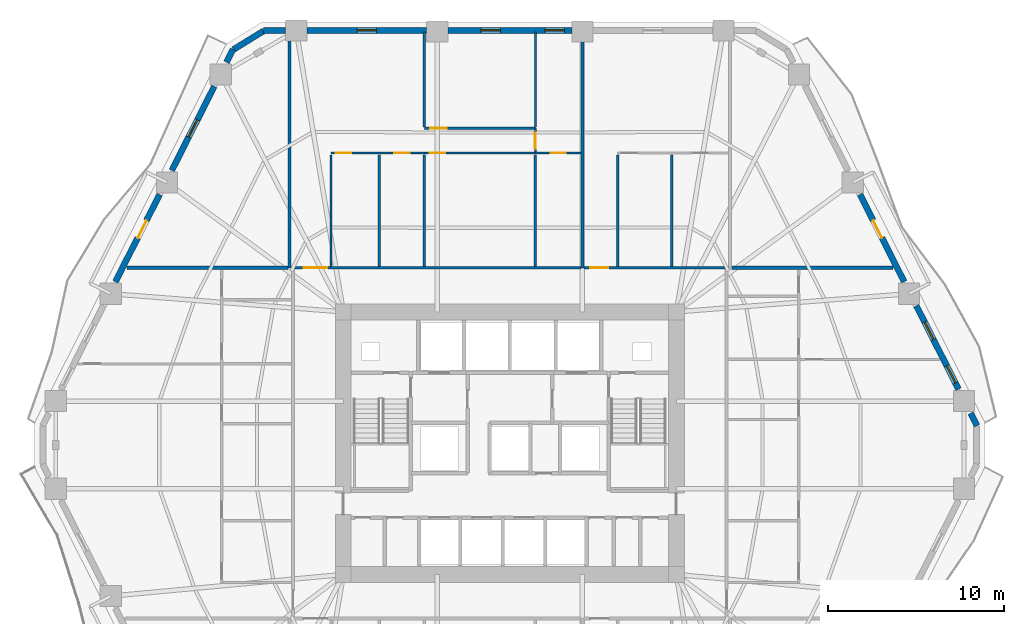
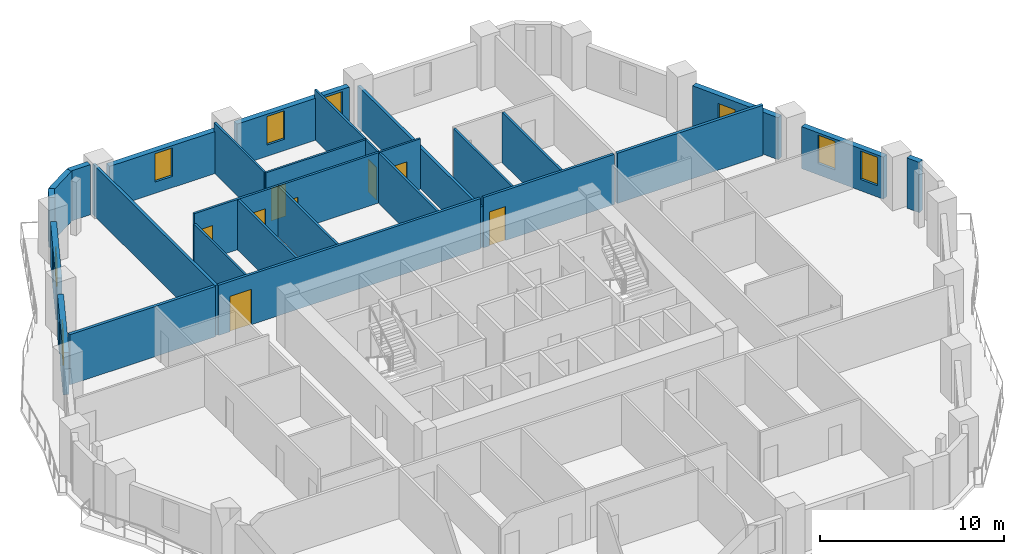
# One storey, part 7 of 11: 29 walls, 10 doors, 6 windows, 16 openings.
"""IFC4 building model written with IfcOpenShell, lengths in metres."""

from ifc_helpers import new_model, si_unit, direction, frame, frame_2d, origin, place, context, subcontext, project, spatial, rectangle, extrude, material, layer, layer_set, type_object, element, fill, save


model = new_model("IFC4")

# Units and contexts
model_context = context("Model", 3, precision=1e-05, world=origin(), true_north=direction((0.0, 1.0)))
body_context = subcontext(model_context, "Body", "Model", "MODEL_VIEW")
ifc_project = project(units=[si_unit("LENGTHUNIT", "METRE"), si_unit("AREAUNIT", "SQUARE_METRE"), si_unit("VOLUMEUNIT", "CUBIC_METRE"), si_unit("PLANEANGLEUNIT", "RADIAN"), si_unit("MASSUNIT", "GRAM", prefix="KILO")], contexts=[model_context])

# Site, building, storey
site_placement = place(None, origin())
site = spatial("IfcSite", under=ifc_project, at=site_placement, CompositionType="ELEMENT")
building_placement = place(site_placement, origin())
building = spatial("IfcBuilding", under=site, at=building_placement, Name="Cinnabar Lancet Tower", CompositionType="ELEMENT")
storey_placement = place(building_placement, frame((0.0, 0.0, 56.85009765625)))
storey = spatial("IfcBuildingStorey", under=building, at=storey_placement, Name="L14", CompositionType="ELEMENT", Elevation=56.85009765625)

# Wall, opening, door
ifc_material_1 = material(Name="Acoustic twin-stud gypsum partition", Category="gypsum")
ifc_layer_1 = layer(ifc_material_1, 0.159912109375)
ifc_layer_set_1 = layer_set([ifc_layer_1], Name="Acoustic twin-stud gypsum partition")
wall_type_1 = type_object("IfcWallType", Name="ARC-WL-CORR-160", PredefinedType="PARTITIONING", material=ifc_layer_set_1)
wall_1_placement = place(storey_placement, frame((19.9951171875, 35.85009765625, 0.0), z_axis=(0.0, 0.0, 1.0), x_axis=(1.0, 0.0, 0.0)))
wall_1 = element("IfcWall", 1, at=wall_1_placement, inside=storey, type_object=wall_type_1, Name="L14 Unit N01 Corridor Wall", PredefinedType="PARTITIONING", context=body_context, shape_type="SweptSolid", body=[
    extrude(rectangle(XDim=16.431884765625, YDim=0.159912109375, at=frame_2d((8.2158203125, 0.0))), origin(), (0.0, 0.0, 1.0), 3.329833984375),
])
opening_1_placement = place(wall_1_placement, frame((0.705078125, 0.0, 0.0)))
opening_1 = element("IfcOpeningElement", 2, at=opening_1_placement, cuts=wall_1, Name="Opening UD-02", PredefinedType="OPENING", context=body_context, shape_type="SweptSolid", body=[
    extrude(rectangle(XDim=1.35009765625, YDim=2.35009765625, at=frame_2d((0.675048828125, 1.175048828125))), frame((0.0, 0.08984375, 0.0), z_axis=(0.0, -1.0, 0.0), x_axis=(1.0, 0.0, 0.0)), (0.0, 0.0, 1.0), 0.179931640625),
])
ifc_material_2 = material(Name="Double-leaf solid timber penthouse entrance door", Category="wood")
door_type_1 = type_object("IfcDoorType", Name="ARC-DR-UNIT-PH", OperationType="NOTDEFINED", PredefinedType="DOOR", material=ifc_material_2)
door_1_placement = place(opening_1_placement, origin())
door_1 = element("IfcDoor", 3, at=door_1_placement, inside=storey, type_object=door_type_1, Name="DR-L14-N01-ENT", OperationType="SINGLE_SWING_RIGHT", OverallHeight=2.35009765625, OverallWidth=1.35009765625, PredefinedType="DOOR", context=body_context, shape_type="SweptSolid", body=[
    extrude(rectangle(XDim=1.35009765625, YDim=2.35009765625, at=frame_2d((0.675048828125, 1.175048828125))), frame((0.0, 0.02490234375, 0.0), z_axis=(0.0, -1.0, 0.0), x_axis=(1.0, 0.0, 0.0)), (0.0, 0.0, 1.0), 0.050048828125),
])
fill(opening_1, door_1)

wall_2_placement = place(storey_placement, frame((36.616943359375, 35.85009765625, 0.0), z_axis=(0.0, 0.0, 1.0), x_axis=(1.0, 0.0, 0.0)))
wall_2 = element("IfcWall", 4, at=wall_2_placement, inside=storey, type_object=wall_type_1, Name="L14 Unit N02 Corridor Wall", PredefinedType="PARTITIONING", context=body_context, shape_type="SweptSolid", body=[
    extrude(rectangle(XDim=8.18798828125, YDim=0.159912109375, at=frame_2d((4.093994140625, 0.0))), origin(), (0.0, 0.0, 1.0), 3.329833984375),
])
opening_2_placement = place(wall_2_placement, frame((0.35498046875, 0.0, 0.0)))
opening_2 = element("IfcOpeningElement", 5, at=opening_2_placement, cuts=wall_2, Name="Opening UD-01", PredefinedType="OPENING", context=body_context, shape_type="SweptSolid", body=[
    extrude(rectangle(XDim=1.02001953125, YDim=2.25, at=frame_2d((0.510009765625, 1.125))), frame((0.0, 0.08984375, 0.0), z_axis=(0.0, -1.0, 0.0), x_axis=(1.0, 0.0, 0.0)), (0.0, 0.0, 1.0), 0.179931640625),
])
ifc_material_3 = material(Name="Solid timber fire-rated apartment entrance door", Category="wood")
door_type_2 = type_object("IfcDoorType", Name="ARC-DR-UNIT", OperationType="NOTDEFINED", PredefinedType="DOOR", material=ifc_material_3)
door_2_placement = place(opening_2_placement, origin())
door_2 = element("IfcDoor", 6, at=door_2_placement, inside=storey, type_object=door_type_2, Name="DR-L14-N02-ENT", OperationType="SINGLE_SWING_LEFT", OverallHeight=2.25, OverallWidth=1.02001953125, PredefinedType="DOOR", context=body_context, shape_type="SweptSolid", body=[
    extrude(rectangle(XDim=1.02001953125, YDim=2.25, at=frame_2d((0.510009765625, 1.125))), frame((0.0, 0.02490234375, 0.0), z_axis=(0.0, -1.0, 0.0), x_axis=(1.0, 0.0, 0.0)), (0.0, 0.0, 1.0), 0.050048828125),
])
fill(opening_2, door_2)

# Walls
ifc_material_4 = material(Name="Fire-rated twin-frame acoustic drywall", Category="gypsum")
ifc_layer_2 = layer(ifc_material_4, 0.179931640625)
ifc_layer_set_2 = layer_set([ifc_layer_2], Name="Fire-rated twin-frame acoustic drywall")
wall_type_2 = type_object("IfcWallType", Name="ARC-WL-PARTY-180", PredefinedType="PARTITIONING", material=ifc_layer_set_2)
wall_3_placement = place(storey_placement, frame((19.89990234375, 35.85009765625, 0.0), z_axis=(0.0, 0.0, 1.0), x_axis=(0.0, 1.0, 0.0)))
element("IfcWall", 7, at=wall_3_placement, inside=storey, type_object=wall_type_2, Name="PW-L14-NPTY-199", PredefinedType="PARTITIONING", context=body_context, shape_type="SweptSolid", body=[
    extrude(rectangle(XDim=13.294921875, YDim=0.179931640625, at=frame_2d((6.6474609375, 0.0))), origin(), (0.0, 0.0, 1.0), 3.329833984375),
])
wall_4_placement = place(storey_placement, frame((36.52197265625, 35.85009765625, 0.0), z_axis=(0.0, 0.0, 1.0), x_axis=(0.0, 1.0, 0.0)))
element("IfcWall", 8, at=wall_4_placement, inside=storey, type_object=wall_type_2, Name="PW-L14-NPTY-365", PredefinedType="PARTITIONING", context=body_context, shape_type="SweptSolid", body=[
    extrude(rectangle(XDim=13.294921875, YDim=0.179931640625, at=frame_2d((6.6474609375, 0.0))), origin(), (0.0, 0.0, 1.0), 2.699951171875),
])
for number, where, z_axis, x_axis, name in (
    (9, (10.6650390625, 35.85009765625, 0.0), (0.0, 0.0, 1.0), (1.0, 0.0, 0.0), "PW-L14-WNB"),
    (10, (44.9951171875, 35.85009765625, 0.0), (0.0, 0.0, 1.0), (1.0, 0.0, 0.0), "PW-L14-ENB"),
):
    element("IfcWall", number, at=place(storey_placement, frame(where, z_axis=z_axis, x_axis=x_axis)), inside=storey, type_object=wall_type_2, Name=name, PredefinedType="PARTITIONING", context=body_context, shape_type="SweptSolid", body=[
        extrude(rectangle(XDim=9.139892578125, YDim=0.179931640625, at=frame_2d((4.56982421875, 0.0))), origin(), (0.0, 0.0, 1.0), 3.329833984375),
    ])
ifc_material_5 = material(Name="Gypsum plasterboard stud partition", Category="gypsum")
ifc_layer_3 = layer(ifc_material_5, 0.125)
ifc_layer_set_3 = layer_set([ifc_layer_3], Name="Gypsum plasterboard stud partition")
wall_type_3 = type_object("IfcWallType", Name="ARC-WL-UNIT-125", PredefinedType="PARTITIONING", material=ifc_layer_set_3)
wall_5_placement = place(storey_placement, frame((22.25, 35.93505859375, 0.0), z_axis=(0.0, 0.0, 1.0), x_axis=(0.0, 1.0, 0.0)))
element("IfcWall", 11, at=wall_5_placement, inside=storey, type_object=wall_type_3, Name="UW-L14-N01-FOYE", PredefinedType="PARTITIONING", context=body_context, shape_type="SweptSolid", body=[
    extrude(rectangle(XDim=6.324951171875, YDim=0.125, at=frame_2d((3.16259765625, 0.0))), origin(), (0.0, 0.0, 1.0), 2.699951171875),
])

# Wall, opening, door
wall_6_placement = place(storey_placement, frame((33.85009765625, 42.364990234375, 0.0), z_axis=(0.0, 0.0, 1.0), x_axis=(1.0, 0.0, 0.0)))
wall_6 = element("IfcWall", 12, at=wall_6_placement, inside=storey, type_object=wall_type_3, Name="UW-L14-N01-SP2", PredefinedType="PARTITIONING", context=body_context, shape_type="SweptSolid", body=[
    extrude(rectangle(XDim=2.576904296875, YDim=0.125, at=frame_2d((1.28857421875, 0.0))), origin(), (0.0, 0.0, 1.0), 3.329833984375),
])
opening_3_placement = place(wall_6_placement, frame((0.863037109375, 0.0, 0.0)))
opening_3 = element("IfcOpeningElement", 13, at=opening_3_placement, cuts=wall_6, Name="Opening BD-01", PredefinedType="OPENING", context=body_context, shape_type="SweptSolid", body=[
    extrude(rectangle(XDim=0.860107421875, YDim=2.10009765625, at=frame_2d((0.43017578125, 1.050048828125))), frame((0.0, 0.072509765625, 0.0), z_axis=(0.0, -1.0, 0.0), x_axis=(1.0, 0.0, 0.0)), (0.0, 0.0, 1.0), 0.14501953125),
])
ifc_material_6 = material(Name="Moisture-resistant timber bathroom door", Category="wood")
door_type_3 = type_object("IfcDoorType", Name="ARC-DR-BATH", OperationType="NOTDEFINED", PredefinedType="DOOR", material=ifc_material_6)
door_3_placement = place(opening_3_placement, origin())
door_3 = element("IfcDoor", 14, at=door_3_placement, inside=storey, type_object=door_type_3, Name="DR-L14-N01-ENS", OperationType="SINGLE_SWING_RIGHT", OverallHeight=2.10009765625, OverallWidth=0.860107421875, PredefinedType="DOOR", context=body_context, shape_type="SweptSolid", body=[
    extrude(rectangle(XDim=0.860107421875, YDim=2.10009765625, at=frame_2d((0.43017578125, 1.050048828125))), frame((0.0, 0.02490234375, 0.0), z_axis=(0.0, -1.0, 0.0), x_axis=(1.0, 0.0, 0.0)), (0.0, 0.0, 1.0), 0.050048828125),
])
fill(opening_3, door_3)

# Wall
wall_7_placement = place(storey_placement, frame((27.5458984375, 43.830078125, 0.0), z_axis=(0.0, 0.0, 1.0), x_axis=(0.0, 1.0, 0.0)))
element("IfcWall", 15, at=wall_7_placement, inside=storey, type_object=wall_type_3, Name="UW-L14-N01-BD2W", PredefinedType="PARTITIONING", context=body_context, shape_type="SweptSolid", body=[
    extrude(rectangle(XDim=5.405029296875, YDim=0.125, at=frame_2d((2.70263671875, 0.0))), origin(), (0.0, 0.0, 1.0), 3.329833984375),
])

# Wall, opening, door
wall_8_placement = place(storey_placement, frame((27.5458984375, 43.764892578125, 0.0), z_axis=(0.0, 0.0, 1.0), x_axis=(1.0, 0.0, 0.0)))
wall_8 = element("IfcWall", 16, at=wall_8_placement, inside=storey, type_object=wall_type_3, Name="UW-L14-N01-HLN", PredefinedType="PARTITIONING", context=body_context, shape_type="SweptSolid", body=[
    extrude(rectangle(XDim=6.30419921875, YDim=0.125, at=frame_2d((3.152099609375, 0.0))), origin(), (0.0, 0.0, 1.0), 3.329833984375),
])
opening_4_placement = place(wall_8_placement, frame((0.35009765625, 0.0, 0.0)))
opening_4 = element("IfcOpeningElement", 17, at=opening_4_placement, cuts=wall_8, Name="Opening RD-01", PredefinedType="OPENING", context=body_context, shape_type="SweptSolid", body=[
    extrude(rectangle(XDim=0.919921875, YDim=2.14990234375, at=frame_2d((0.4599609375, 1.074951171875))), frame((0.0, 0.072509765625, 0.0), z_axis=(0.0, -1.0, 0.0), x_axis=(1.0, 0.0, 0.0)), (0.0, 0.0, 1.0), 0.14501953125),
])
ifc_material_7 = material(Name="Engineered timber bedroom door", Category="wood")
door_type_4 = type_object("IfcDoorType", Name="ARC-DR-ROOM", OperationType="NOTDEFINED", PredefinedType="DOOR", material=ifc_material_7)
door_4_placement = place(opening_4_placement, origin())
door_4 = element("IfcDoor", 18, at=door_4_placement, inside=storey, type_object=door_type_4, Name="DR-L14-N01-BD2", OperationType="SINGLE_SWING_LEFT", OverallHeight=2.14990234375, OverallWidth=0.919921875, PredefinedType="DOOR", context=body_context, shape_type="SweptSolid", body=[
    extrude(rectangle(XDim=0.919921875, YDim=2.14990234375, at=frame_2d((0.4599609375, 1.074951171875))), frame((0.0, 0.02490234375, 0.0), z_axis=(0.0, -1.0, 0.0), x_axis=(1.0, 0.0, 0.0)), (0.0, 0.0, 1.0), 0.050048828125),
])
fill(opening_4, door_4)

wall_9_placement = place(storey_placement, frame((33.85009765625, 42.43505859375, 0.0), z_axis=(0.0, 0.0, 1.0), x_axis=(0.0, 1.0, 0.0)))
wall_9 = element("IfcWall", 19, at=wall_9_placement, inside=storey, type_object=wall_type_3, Name="UW-L14-N01-MBE", PredefinedType="PARTITIONING", context=body_context, shape_type="SweptSolid", body=[
    extrude(rectangle(XDim=1.329833984375, YDim=0.125, at=frame_2d((0.6650390625, 0.0))), origin(), (0.0, 0.0, 1.0), 3.329833984375),
])
opening_5_placement = place(wall_9_placement, frame((0.159912109375, 0.0, 0.0)))
opening_5 = element("IfcOpeningElement", 20, at=opening_5_placement, cuts=wall_9, Name="Opening RD-01", PredefinedType="OPENING", context=body_context, shape_type="SweptSolid", body=[
    extrude(rectangle(XDim=0.919921875, YDim=2.14990234375, at=frame_2d((0.4599609375, 1.074951171875))), frame((0.0, 0.072509765625, 0.0), z_axis=(0.0, -1.0, 0.0), x_axis=(1.0, 0.0, 0.0)), (0.0, 0.0, 1.0), 0.14501953125),
])
door_5_placement = place(opening_5_placement, origin())
door_5 = element("IfcDoor", 21, at=door_5_placement, inside=storey, type_object=door_type_4, Name="DR-L14-N01-MBD", OperationType="SINGLE_SWING_LEFT", OverallHeight=2.14990234375, OverallWidth=0.919921875, PredefinedType="DOOR", context=body_context, shape_type="SweptSolid", body=[
    extrude(rectangle(XDim=0.919921875, YDim=2.14990234375, at=frame_2d((0.4599609375, 1.074951171875))), frame((0.0, 0.02490234375, 0.0), z_axis=(0.0, -1.0, 0.0), x_axis=(1.0, 0.0, 0.0)), (0.0, 0.0, 1.0), 0.050048828125),
])
fill(opening_5, door_5)

# Walls
wall_10_placement = place(storey_placement, frame((33.85009765625, 43.830078125, 0.0), z_axis=(0.0, 0.0, 1.0), x_axis=(0.0, 1.0, 0.0)))
element("IfcWall", 22, at=wall_10_placement, inside=storey, type_object=wall_type_3, Name="UW-L14-N01-MB2W", PredefinedType="PARTITIONING", context=body_context, shape_type="SweptSolid", body=[
    extrude(rectangle(XDim=5.405029296875, YDim=0.125, at=frame_2d((2.70263671875, 0.0))), origin(), (0.0, 0.0, 1.0), 3.329833984375),
])
wall_11_placement = place(storey_placement, frame((38.52197265625, 35.93505859375, 0.0), z_axis=(0.0, 0.0, 1.0), x_axis=(0.0, 1.0, 0.0)))
element("IfcWall", 23, at=wall_11_placement, inside=storey, type_object=wall_type_3, Name="UW-L14-N02-FOYE", PredefinedType="PARTITIONING", context=body_context, shape_type="SweptSolid", body=[
    extrude(rectangle(XDim=6.324951171875, YDim=0.125, at=frame_2d((3.16259765625, 0.0))), origin(), (0.0, 0.0, 1.0), 3.329833984375),
])

# Wall, openings, doors
ifc_material_8 = material(Name="Moisture-resistant cement-board plumbing wall", Category="masonry")
ifc_layer_4 = layer(ifc_material_8, 0.139892578125)
ifc_layer_set_4 = layer_set([ifc_layer_4], Name="Moisture-resistant cement-board plumbing wall")
wall_type_4 = type_object("IfcWallType", Name="ARC-WL-WET-140", PredefinedType="PLUMBINGWALL", material=ifc_layer_set_4)
wall_12_placement = place(storey_placement, frame((22.25, 42.364990234375, 0.0), z_axis=(0.0, 0.0, 1.0), x_axis=(1.0, 0.0, 0.0)))
wall_12 = element("IfcWall", 24, at=wall_12_placement, inside=storey, type_object=wall_type_4, Name="UW-L14-N01-SPL", PredefinedType="PLUMBINGWALL", context=body_context, shape_type="SweptSolid", body=[
    extrude(rectangle(XDim=5.2958984375, YDim=0.139892578125, at=frame_2d((2.64794921875, 0.0))), origin(), (0.0, 0.0, 1.0), 3.329833984375),
])
opening_6_placement = place(wall_12_placement, frame((3.60009765625, 0.0, 0.0)))
opening_6 = element("IfcOpeningElement", 25, at=opening_6_placement, cuts=wall_12, Name="Opening BD-01", PredefinedType="OPENING", context=body_context, shape_type="SweptSolid", body=[
    extrude(rectangle(XDim=0.860107421875, YDim=2.10009765625, at=frame_2d((0.43017578125, 1.050048828125))), frame((0.0, 0.079833984375, 0.0), z_axis=(0.0, -1.0, 0.0), x_axis=(1.0, 0.0, 0.0)), (0.0, 0.0, 1.0), 0.159912109375),
])
opening_7_placement = place(wall_12_placement, frame((0.260009765625, 0.0, 0.0)))
opening_7 = element("IfcOpeningElement", 26, at=opening_7_placement, cuts=wall_12, Name="Opening RD-02", PredefinedType="OPENING", context=body_context, shape_type="SweptSolid", body=[
    extrude(rectangle(XDim=0.8798828125, YDim=2.14990234375, at=frame_2d((0.43994140625, 1.074951171875))), frame((0.0, 0.079833984375, 0.0), z_axis=(0.0, -1.0, 0.0), x_axis=(1.0, 0.0, 0.0)), (0.0, 0.0, 1.0), 0.159912109375),
])
door_6_placement = place(opening_6_placement, origin())
door_6 = element("IfcDoor", 27, at=door_6_placement, inside=storey, type_object=door_type_3, Name="DR-L14-N01-BTH", OperationType="SINGLE_SWING_RIGHT", OverallHeight=2.10009765625, OverallWidth=0.860107421875, PredefinedType="DOOR", context=body_context, shape_type="SweptSolid", body=[
    extrude(rectangle(XDim=0.860107421875, YDim=2.10009765625, at=frame_2d((0.43017578125, 1.050048828125))), frame((0.0, 0.02490234375, 0.0), z_axis=(0.0, -1.0, 0.0), x_axis=(1.0, 0.0, 0.0)), (0.0, 0.0, 1.0), 0.050048828125),
])
fill(opening_6, door_6)
ifc_material_9 = material(Name="Engineered timber study door", Category="wood")
door_type_5 = type_object("IfcDoorType", Name="ARC-DR-STUDY", OperationType="NOTDEFINED", PredefinedType="DOOR", material=ifc_material_9)
door_7_placement = place(opening_7_placement, origin())
door_7 = element("IfcDoor", 28, at=door_7_placement, inside=storey, type_object=door_type_5, Name="DR-L14-N01-KIT", OperationType="SINGLE_SWING_LEFT", OverallHeight=2.14990234375, OverallWidth=0.8798828125, PredefinedType="DOOR", context=body_context, shape_type="SweptSolid", body=[
    extrude(rectangle(XDim=0.8798828125, YDim=2.14990234375, at=frame_2d((0.43994140625, 1.074951171875))), frame((0.0, 0.02490234375, 0.0), z_axis=(0.0, -1.0, 0.0), x_axis=(1.0, 0.0, 0.0)), (0.0, 0.0, 1.0), 0.050048828125),
])
fill(opening_7, door_7)

# Wall, opening, door
wall_13_placement = place(storey_placement, frame((27.5458984375, 42.364990234375, 0.0), z_axis=(0.0, 0.0, 1.0), x_axis=(1.0, 0.0, 0.0)))
wall_13 = element("IfcWall", 29, at=wall_13_placement, inside=storey, type_object=wall_type_4, Name="UW-L14-N01-SPM", PredefinedType="PLUMBINGWALL", context=body_context, shape_type="SweptSolid", body=[
    extrude(rectangle(XDim=6.30419921875, YDim=0.139892578125, at=frame_2d((3.152099609375, 0.0))), origin(), (0.0, 0.0, 1.0), 3.329833984375),
])
opening_8_placement = place(wall_13_placement, frame((0.300048828125, 0.0, 0.0)))
opening_8 = element("IfcOpeningElement", 30, at=opening_8_placement, cuts=wall_13, Name="Opening RD-02", PredefinedType="OPENING", context=body_context, shape_type="SweptSolid", body=[
    extrude(rectangle(XDim=0.8798828125, YDim=2.14990234375, at=frame_2d((0.43994140625, 1.074951171875))), frame((0.0, 0.079833984375, 0.0), z_axis=(0.0, -1.0, 0.0), x_axis=(1.0, 0.0, 0.0)), (0.0, 0.0, 1.0), 0.159912109375),
])
door_8_placement = place(opening_8_placement, origin())
door_8 = element("IfcDoor", 31, at=door_8_placement, inside=storey, type_object=door_type_5, Name="DR-L14-N01-UTL", OperationType="SINGLE_SWING_RIGHT", OverallHeight=2.14990234375, OverallWidth=0.8798828125, PredefinedType="DOOR", context=body_context, shape_type="SweptSolid", body=[
    extrude(rectangle(XDim=0.8798828125, YDim=2.14990234375, at=frame_2d((0.43994140625, 1.074951171875))), frame((0.0, 0.02490234375, 0.0), z_axis=(0.0, -1.0, 0.0), x_axis=(1.0, 0.0, 0.0)), (0.0, 0.0, 1.0), 0.050048828125),
])
fill(opening_8, door_8)

# Walls
for number, where, z_axis, x_axis, name in (
    (32, (25.00390625, 35.93505859375, 0.0), (0.0, 0.0, 1.0), (0.0, 1.0, 0.0), "UW-L14-N01-KDV"),
    (33, (27.5458984375, 35.93505859375, 0.0), (0.0, 0.0, 1.0), (0.0, 1.0, 0.0), "UW-L14-N01-ENSW"),
    (34, (33.85009765625, 35.93505859375, 0.0), (0.0, 0.0, 1.0), (0.0, 1.0, 0.0), "UW-L14-N01-ENSE"),
    (35, (41.5830078125, 35.93505859375, 0.0), (0.0, 0.0, 1.0), (0.0, 1.0, 0.0), "UW-L14-N02-KDV"),
):
    element("IfcWall", number, at=place(storey_placement, frame(where, z_axis=z_axis, x_axis=x_axis)), inside=storey, type_object=wall_type_4, Name=name, PredefinedType="PLUMBINGWALL", context=body_context, shape_type="SweptSolid", body=[
        extrude(rectangle(XDim=6.324951171875, YDim=0.139892578125, at=frame_2d((3.16259765625, 0.0))), origin(), (0.0, 0.0, 1.0), 3.329833984375),
    ])
ifc_material_10 = material(Name="Cinnabar red clay brick", Category="masonry")
ifc_layer_5 = layer(ifc_material_10, 0.340087890625)
ifc_layer_set_5 = layer_set([ifc_layer_5], Name="Cinnabar red clay brick")
wall_type_5 = type_object("IfcWallType", Name="ENV-WL-BRK-RED-340", PredefinedType="STANDARD", material=ifc_layer_set_5)
wall_14_placement = place(storey_placement, frame((18.43896484375, 49.294921875, 0.0), z_axis=(0.0, 0.0, 1.0), x_axis=(-0.851870104345, -0.523753114857, 0.0)))
element("IfcWall", 36, at=wall_14_placement, inside=storey, type_object=wall_type_5, Name="L14 Chamfered Corner Brick Pier 5.1", PredefinedType="STANDARD", context=body_context, shape_type="SweptSolid", body=[
    extrude(rectangle(XDim=2.017822265625, YDim=0.340087890625, at=frame_2d((1.0087890625, 0.0))), origin(), (0.0, 0.0, 1.0), 3.329833984375),
])
wall_15_placement = place(storey_placement, frame((58.908935546875, 26.89306640625, 0.0), z_axis=(0.0, 0.0, 1.0), x_axis=(-0.452101093511, 0.891966704113, 0.0)))
element("IfcWall", 37, at=wall_15_placement, inside=storey, type_object=wall_type_5, Name="L14 Face 3 Masonry Bay Wall 1", PredefinedType="STANDARD", context=body_context, shape_type="SweptSolid", body=[
    extrude(rectangle(XDim=0.798095703125, YDim=0.340087890625, at=frame_2d((0.39892578125, 0.0))), origin(), (0.0, 0.0, 1.0), 3.329833984375),
])

# Wall, openings, windows
wall_16_placement = place(storey_placement, frame((57.860107421875, 28.967041015625, 0.0), z_axis=(0.0, 0.0, 1.0), x_axis=(-0.451590635984, 0.892225250422, 0.0)))
wall_16 = element("IfcWall", 38, at=wall_16_placement, inside=storey, type_object=wall_type_5, Name="L14 Face 3 Masonry Bay Wall 2", PredefinedType="STANDARD", context=body_context, shape_type="SweptSolid", body=[
    extrude(rectangle(XDim=5.303466796875, YDim=0.340087890625, at=frame_2d((2.65185546875, 0.0))), origin(), (0.0, 0.0, 1.0), 2.786865234375),
])
opening_9_placement = place(wall_16_placement, frame((0.384033203125, 0.0, 0.75)))
opening_9 = element("IfcOpeningElement", 39, at=opening_9_placement, cuts=wall_16, Name="Opening WN-04", PredefinedType="OPENING", context=body_context, shape_type="SweptSolid", body=[
    extrude(rectangle(XDim=1.10009765625, YDim=1.886962890625, at=frame_2d((0.550048828125, 0.943359375))), frame((0.0, 0.179931640625, 0.0), z_axis=(0.0, -1.0, 0.0), x_axis=(1.0, 0.0, 0.0)), (0.0, 0.0, 1.0), 0.360107421875),
])
opening_10_placement = place(wall_16_placement, frame((3.156005859375, 0.0, 0.75)))
opening_10 = element("IfcOpeningElement", 40, at=opening_10_placement, cuts=wall_16, Name="Opening WN-04", PredefinedType="OPENING", context=body_context, shape_type="SweptSolid", body=[
    extrude(rectangle(XDim=1.10009765625, YDim=1.886962890625, at=frame_2d((0.550048828125, 0.943359375))), frame((0.0, 0.179931640625, 0.0), z_axis=(0.0, -1.0, 0.0), x_axis=(1.0, 0.0, 0.0)), (0.0, 0.0, 1.0), 0.360107421875),
])
ifc_material_11 = material(Name="Thermally broken bronze-anodized aluminium tall lancet window", Category="aluminium")
window_type = type_object("IfcWindowType", Name="ENV-WN-LANCET-1100", PartitioningType="SINGLE_PANEL", PredefinedType="WINDOW", material=ifc_material_11)
window_1_placement = place(opening_9_placement, origin())
window_1 = element("IfcWindow", 41, at=window_1_placement, inside=storey, type_object=window_type, Name="L14 Face 3 Gothic Lancet Window 2", OverallHeight=1.886962890625, OverallWidth=1.10009765625, PartitioningType="SINGLE_PANEL", PredefinedType="WINDOW", context=body_context, shape_type="SweptSolid", body=[
    extrude(rectangle(XDim=1.10009765625, YDim=1.886962890625, at=frame_2d((0.550048828125, 0.943359375))), frame((0.0, 0.030029296875, 0.0), z_axis=(0.0, -1.0, 0.0), x_axis=(1.0, 0.0, 0.0)), (0.0, 0.0, 1.0), 0.06005859375),
])
fill(opening_9, window_1)
window_2_placement = place(opening_10_placement, origin())
window_2 = element("IfcWindow", 42, at=window_2_placement, inside=storey, type_object=window_type, Name="L14 Split-Bay Gothic Lancet Window 33", OverallHeight=1.886962890625, OverallWidth=1.10009765625, PartitioningType="SINGLE_PANEL", PredefinedType="WINDOW", context=body_context, shape_type="SweptSolid", body=[
    extrude(rectangle(XDim=1.10009765625, YDim=1.886962890625, at=frame_2d((0.550048828125, 0.943359375))), frame((0.0, 0.030029296875, 0.0), z_axis=(0.0, -1.0, 0.0), x_axis=(1.0, 0.0, 0.0)), (0.0, 0.0, 1.0), 0.06005859375),
])
fill(opening_10, window_2)

# Wall, opening, door
wall_17_placement = place(storey_placement, frame((54.77587890625, 35.06103515625, 0.0), z_axis=(0.0, 0.0, 1.0), x_axis=(-0.451592100298, 0.892224509273, 0.0)))
wall_17 = element("IfcWall", 43, at=wall_17_placement, inside=storey, type_object=wall_type_5, Name="L14 Face 3 Masonry Bay Wall 3", PredefinedType="STANDARD", context=body_context, shape_type="SweptSolid", body=[
    extrude(rectangle(XDim=5.546875, YDim=0.340087890625, at=frame_2d((2.7734375, 0.0))), origin(), (0.0, 0.0, 1.0), 2.786865234375),
])
opening_11_placement = place(wall_17_placement, frame((2.791015625, 0.0, 0.0)))
opening_11 = element("IfcOpeningElement", 44, at=opening_11_placement, cuts=wall_17, Name="Opening TD-01", PredefinedType="OPENING", context=body_context, shape_type="SweptSolid", body=[
    extrude(rectangle(XDim=1.10009765625, YDim=2.25, at=frame_2d((0.550048828125, 1.125))), frame((0.0, 0.179931640625, 0.0), z_axis=(0.0, -1.0, 0.0), x_axis=(1.0, 0.0, 0.0)), (0.0, 0.0, 1.0), 0.360107421875),
])
ifc_material_12 = material(Name="Thermally broken low-E glazed balcony terrace door", Category="wood")
door_type_6 = type_object("IfcDoorType", Name="ARC-DR-BALC", OperationType="NOTDEFINED", PredefinedType="DOOR", material=ifc_material_12)
door_9_placement = place(opening_11_placement, origin())
door_9 = element("IfcDoor", 45, at=door_9_placement, inside=storey, type_object=door_type_6, Name="L14 Face 3 Glazed Terrace Door", OperationType="SINGLE_SWING_RIGHT", OverallHeight=2.25, OverallWidth=1.10009765625, PredefinedType="DOOR", context=body_context, shape_type="SweptSolid", body=[
    extrude(rectangle(XDim=1.10009765625, YDim=2.25, at=frame_2d((0.550048828125, 1.125))), frame((0.0, 0.02490234375, 0.0), z_axis=(0.0, -1.0, 0.0), x_axis=(1.0, 0.0, 0.0)), (0.0, 0.0, 1.0), 0.050048828125),
])
fill(opening_11, door_9)

# Wall, openings, windows
wall_18_placement = place(storey_placement, frame((35.91796875, 49.320068359375, 0.0), z_axis=(0.0, 0.0, 1.0), x_axis=(-1.0, 0.0, 0.0)))
wall_18 = element("IfcWall", 46, at=wall_18_placement, inside=storey, type_object=wall_type_5, Name="L14 Face 4 Masonry Bay Wall 3", PredefinedType="STANDARD", context=body_context, shape_type="SweptSolid", body=[
    extrude(rectangle(XDim=7.035888671875, YDim=0.340087890625, at=frame_2d((3.51806640625, 0.0))), origin(), (0.0, 0.0, 1.0), 2.786865234375),
])
opening_12_placement = place(wall_18_placement, frame((0.427978515625, 0.0, 0.75)))
opening_12 = element("IfcOpeningElement", 47, at=opening_12_placement, cuts=wall_18, Name="Opening WN-04", PredefinedType="OPENING", context=body_context, shape_type="SweptSolid", body=[
    extrude(rectangle(XDim=1.10009765625, YDim=1.886962890625, at=frame_2d((0.550048828125, 0.943359375))), frame((0.0, 0.179931640625, 0.0), z_axis=(0.0, -1.0, 0.0), x_axis=(1.0, 0.0, 0.0)), (0.0, 0.0, 1.0), 0.360107421875),
])
opening_13_placement = place(wall_18_placement, frame((4.05810546875, 0.0, 0.75)))
opening_13 = element("IfcOpeningElement", 48, at=opening_13_placement, cuts=wall_18, Name="Opening WN-04", PredefinedType="OPENING", context=body_context, shape_type="SweptSolid", body=[
    extrude(rectangle(XDim=1.10009765625, YDim=1.886962890625, at=frame_2d((0.550048828125, 0.943359375))), frame((0.0, 0.179931640625, 0.0), z_axis=(0.0, -1.0, 0.0), x_axis=(1.0, 0.0, 0.0)), (0.0, 0.0, 1.0), 0.360107421875),
])
window_3_placement = place(opening_12_placement, origin())
window_3 = element("IfcWindow", 49, at=window_3_placement, inside=storey, type_object=window_type, Name="L14 Face 4 Gothic Lancet Window 3", OverallHeight=1.886962890625, OverallWidth=1.10009765625, PartitioningType="SINGLE_PANEL", PredefinedType="WINDOW", context=body_context, shape_type="SweptSolid", body=[
    extrude(rectangle(XDim=1.10009765625, YDim=1.886962890625, at=frame_2d((0.550048828125, 0.943359375))), frame((0.0, 0.030029296875, 0.0), z_axis=(0.0, -1.0, 0.0), x_axis=(1.0, 0.0, 0.0)), (0.0, 0.0, 1.0), 0.06005859375),
])
fill(opening_12, window_3)
window_4_placement = place(opening_13_placement, origin())
window_4 = element("IfcWindow", 50, at=window_4_placement, inside=storey, type_object=window_type, Name="L14 Split-Bay Gothic Lancet Window 34", OverallHeight=1.886962890625, OverallWidth=1.10009765625, PartitioningType="SINGLE_PANEL", PredefinedType="WINDOW", context=body_context, shape_type="SweptSolid", body=[
    extrude(rectangle(XDim=1.10009765625, YDim=1.886962890625, at=frame_2d((0.550048828125, 0.943359375))), frame((0.0, 0.030029296875, 0.0), z_axis=(0.0, -1.0, 0.0), x_axis=(1.0, 0.0, 0.0)), (0.0, 0.0, 1.0), 0.06005859375),
])
fill(opening_13, window_4)

# Wall, opening, window
wall_19_placement = place(storey_placement, frame((27.674072265625, 49.320068359375, 0.0), z_axis=(0.0, 0.0, 1.0), x_axis=(-1.0, 0.0, 0.0)))
wall_19 = element("IfcWall", 51, at=wall_19_placement, inside=storey, type_object=wall_type_5, Name="L14 Face 4 Masonry Bay Wall 4", PredefinedType="STANDARD", context=body_context, shape_type="SweptSolid", body=[
    extrude(rectangle(XDim=6.787109375, YDim=0.340087890625, at=frame_2d((3.3935546875, 0.0))), origin(), (0.0, 0.0, 1.0), 2.786865234375),
])
opening_14_placement = place(wall_19_placement, frame((2.843017578125, 0.0, 0.75)))
opening_14 = element("IfcOpeningElement", 52, at=opening_14_placement, cuts=wall_19, Name="Opening WN-04", PredefinedType="OPENING", context=body_context, shape_type="SweptSolid", body=[
    extrude(rectangle(XDim=1.10009765625, YDim=1.886962890625, at=frame_2d((0.550048828125, 0.943359375))), frame((0.0, 0.179931640625, 0.0), z_axis=(0.0, -1.0, 0.0), x_axis=(1.0, 0.0, 0.0)), (0.0, 0.0, 1.0), 0.360107421875),
])
window_5_placement = place(opening_14_placement, origin())
window_5 = element("IfcWindow", 53, at=window_5_placement, inside=storey, type_object=window_type, Name="L14 Face 4 Gothic Lancet Window 4", OverallHeight=1.886962890625, OverallWidth=1.10009765625, PartitioningType="SINGLE_PANEL", PredefinedType="WINDOW", context=body_context, shape_type="SweptSolid", body=[
    extrude(rectangle(XDim=1.10009765625, YDim=1.886962890625, at=frame_2d((0.550048828125, 0.943359375))), frame((0.0, 0.030029296875, 0.0), z_axis=(0.0, -1.0, 0.0), x_axis=(1.0, 0.0, 0.0)), (0.0, 0.0, 1.0), 0.06005859375),
])
fill(opening_14, window_5)

# Walls
wall_20_placement = place(storey_placement, frame((19.678955078125, 49.320068359375, 0.0), z_axis=(0.0, 0.0, 1.0), x_axis=(-1.0, 0.0, 0.0)))
element("IfcWall", 54, at=wall_20_placement, inside=storey, type_object=wall_type_5, Name="L14 Face 4 Masonry Bay Wall 5", PredefinedType="STANDARD", context=body_context, shape_type="SweptSolid", body=[
    extrude(rectangle(XDim=1.244873046875, YDim=0.340087890625, at=frame_2d((0.62255859375, 0.0))), origin(), (0.0, 0.0, 1.0), 3.329833984375),
])
wall_21_placement = place(storey_placement, frame((16.699951171875, 48.25390625, 0.0), z_axis=(0.0, 0.0, 1.0), x_axis=(-0.451995771866, -0.892020079491, 0.0)))
element("IfcWall", 55, at=wall_21_placement, inside=storey, type_object=wall_type_5, Name="L14 Face 5 Masonry Bay Wall 1", PredefinedType="STANDARD", context=body_context, shape_type="SweptSolid", body=[
    extrude(rectangle(XDim=0.836181640625, YDim=0.340087890625, at=frame_2d((0.41796875, 0.0))), origin(), (0.0, 0.0, 1.0), 3.329833984375),
])

# Wall, opening, window
wall_22_placement = place(storey_placement, frame((15.634033203125, 46.14599609375, 0.0), z_axis=(0.0, 0.0, 1.0), x_axis=(-0.451697561555, -0.892171123095, 0.0)))
wall_22 = element("IfcWall", 56, at=wall_22_placement, inside=storey, type_object=wall_type_5, Name="L14 Face 5 Masonry Bay Wall 2", PredefinedType="STANDARD", context=body_context, shape_type="SweptSolid", body=[
    extrude(rectangle(XDim=5.350830078125, YDim=0.340087890625, at=frame_2d((2.67529296875, 0.0))), origin(), (0.0, 0.0, 1.0), 2.786865234375),
])
opening_15_placement = place(wall_22_placement, frame((2.125, 0.0, 0.75)))
opening_15 = element("IfcOpeningElement", 57, at=opening_15_placement, cuts=wall_22, Name="Opening WN-04", PredefinedType="OPENING", context=body_context, shape_type="SweptSolid", body=[
    extrude(rectangle(XDim=1.10009765625, YDim=1.886962890625, at=frame_2d((0.550048828125, 0.943359375))), frame((0.0, 0.179931640625, 0.0), z_axis=(0.0, -1.0, 0.0), x_axis=(1.0, 0.0, 0.0)), (0.0, 0.0, 1.0), 0.360107421875),
])
window_6_placement = place(opening_15_placement, origin())
window_6 = element("IfcWindow", 58, at=window_6_placement, inside=storey, type_object=window_type, Name="L14 Face 5 Gothic Lancet Window 2", OverallHeight=1.886962890625, OverallWidth=1.10009765625, PartitioningType="SINGLE_PANEL", PredefinedType="WINDOW", context=body_context, shape_type="SweptSolid", body=[
    extrude(rectangle(XDim=1.10009765625, YDim=1.886962890625, at=frame_2d((0.550048828125, 0.943359375))), frame((0.0, 0.030029296875, 0.0), z_axis=(0.0, -1.0, 0.0), x_axis=(1.0, 0.0, 0.0)), (0.0, 0.0, 1.0), 0.06005859375),
])
fill(opening_15, window_6)

# Wall, opening, door
wall_23_placement = place(storey_placement, frame((12.529052734375, 40.010009765625, 0.0), z_axis=(0.0, 0.0, 1.0), x_axis=(-0.451627137896, -0.892206774417, 0.0)))
wall_23 = element("IfcWall", 59, at=wall_23_placement, inside=storey, type_object=wall_type_5, Name="L14 Face 5 Masonry Bay Wall 3", PredefinedType="STANDARD", context=body_context, shape_type="SweptSolid", body=[
    extrude(rectangle(XDim=5.546875, YDim=0.340087890625, at=frame_2d((2.7734375, 0.0))), origin(), (0.0, 0.0, 1.0), 2.786865234375),
])
opening_16_placement = place(wall_23_placement, frame((1.656005859375, 0.0, 0.0)))
opening_16 = element("IfcOpeningElement", 60, at=opening_16_placement, cuts=wall_23, Name="Opening TD-01", PredefinedType="OPENING", context=body_context, shape_type="SweptSolid", body=[
    extrude(rectangle(XDim=1.10009765625, YDim=2.25, at=frame_2d((0.550048828125, 1.125))), frame((0.0, 0.179931640625, 0.0), z_axis=(0.0, -1.0, 0.0), x_axis=(1.0, 0.0, 0.0)), (0.0, 0.0, 1.0), 0.360107421875),
])
door_10_placement = place(opening_16_placement, origin())
door_10 = element("IfcDoor", 61, at=door_10_placement, inside=storey, type_object=door_type_6, Name="L14 Face 5 Glazed Terrace Door", OperationType="SINGLE_SWING_RIGHT", OverallHeight=2.25, OverallWidth=1.10009765625, PredefinedType="DOOR", context=body_context, shape_type="SweptSolid", body=[
    extrude(rectangle(XDim=1.10009765625, YDim=2.25, at=frame_2d((0.550048828125, 1.125))), frame((0.0, 0.02490234375, 0.0), z_axis=(0.0, -1.0, 0.0), x_axis=(1.0, 0.0, 0.0)), (0.0, 0.0, 1.0), 0.050048828125),
])
fill(opening_16, door_10)

save(model, "model.ifc")
